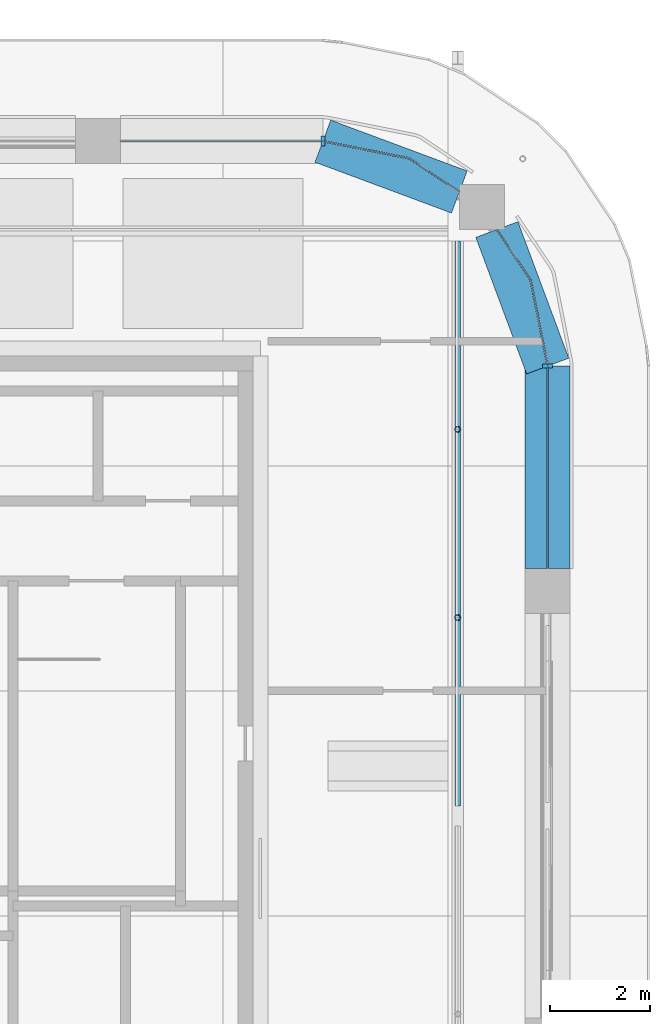
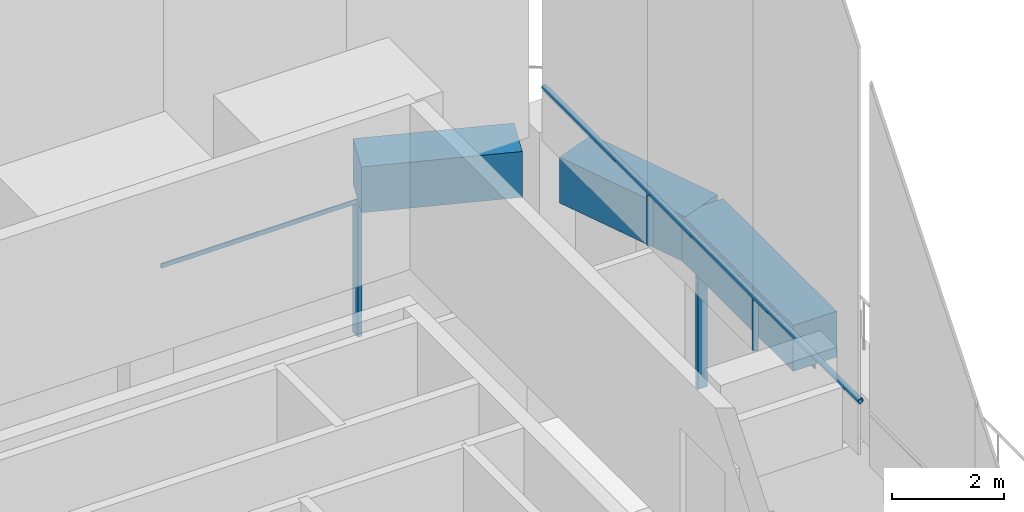
# One storey, part 19 of 31: 7 members, 3 beams, 2 elements without a shape of their own.
"""IFC4 building model written with IfcOpenShell, lengths in metres."""

from ifc_helpers import new_model, si_unit, direction, frame, origin, origin_2d, place, context, subcontext, project, spatial, polyline, rectangle, hollow_circle, outline, extrude, material, material_profile, profile_set, type_object, element, aggregate, save


model = new_model("IFC4")

# Units and contexts
model_context = context("Model", 3, precision=1e-05, world=origin(), true_north=direction((0.0, 1.0)))
body_context = subcontext(model_context, "Body", "Model", "MODEL_VIEW")
ifc_project = project(units=[si_unit("LENGTHUNIT", "METRE"), si_unit("AREAUNIT", "SQUARE_METRE"), si_unit("VOLUMEUNIT", "CUBIC_METRE"), si_unit("PLANEANGLEUNIT", "RADIAN"), si_unit("MASSUNIT", "GRAM", prefix="KILO")], contexts=[model_context])

# Site, building, storey
site_placement = place(None, origin())
site = spatial("IfcSite", under=ifc_project, at=site_placement, CompositionType="ELEMENT")
building_placement = place(site_placement, origin())
building = spatial("IfcBuilding", under=site, at=building_placement, Name="Tessera Arch", CompositionType="ELEMENT")
storey_placement = place(building_placement, frame((0.0, 0.0, 320.699951171875)))
storey = spatial("IfcBuildingStorey", under=building, at=storey_placement, Name="L77", CompositionType="ELEMENT", Elevation=320.699951171875)

# Curtain wall, member
ifc_material_1 = material(Name="CW2 curtain wall")
curtain_wall_type = type_object("IfcCurtainWallType", Name="CW2 curtain wall", PredefinedType="NOTDEFINED", material=ifc_material_1)
curtain_wall_1_placement = place(storey_placement, origin())
curtain_wall_1 = element("IfcCurtainWall", 1, at=curtain_wall_1_placement, inside=storey, type_object=curtain_wall_type, Name="CW2 curtain wall E54.27/1 L77", PredefinedType="NOTDEFINED")
ifc_material_2 = material(Name="Anodised aluminium pale metal", Category="aluminium")
ifc_material_profile_1 = material_profile(ifc_material_2, rectangle(XDim=0.199951171875, YDim=0.080078125, at=origin_2d()), Name="AL 80x200")
ifc_profile_set_1 = profile_set([ifc_material_profile_1], Name="Anodised aluminium pale metal")
member_type_1 = type_object("IfcMemberType", Name="CW2 mullion", PredefinedType="MULLION", material=ifc_profile_set_1)
member_1_placement = place(storey_placement, frame((54.0, 49.5, 0.0), z_axis=(0.0, 0.0, 1.0), x_axis=(-1.0, 0.0, 0.0)))
member_1 = element("IfcMember", 2, at=member_1_placement, type_object=member_type_1, Name="CW2 mullion E54.27/1 1", PredefinedType="MULLION", context=body_context, shape_type="SweptSolid", body=[
    extrude(rectangle(XDim=0.199951171875, YDim=0.080078125, at=origin_2d()), origin(), (0.0, 0.0, 1.0), 2.85009765625),
])

curtain_wall_2_placement = place(storey_placement, origin())
curtain_wall_2 = element("IfcCurtainWall", 3, at=curtain_wall_2_placement, inside=storey, type_object=curtain_wall_type, Name="CW2 curtain wall N54.18/0 L77", PredefinedType="NOTDEFINED")
member_2_placement = place(storey_placement, frame((49.5, 54.0, 0.0), z_axis=(0.0, 0.0, 1.0), x_axis=(0.0, -1.0, 0.0)))
member_2 = element("IfcMember", 4, at=member_2_placement, type_object=member_type_1, Name="CW2 mullion N54.18/0 1", PredefinedType="MULLION", context=body_context, shape_type="SweptSolid", body=[
    extrude(rectangle(XDim=0.199951171875, YDim=0.080078125, at=origin_2d()), origin(), (0.0, 0.0, 1.0), 2.85009765625),
])

# Member
ifc_material_3 = material(Name="Anodised aluminium pale metal", Category="aluminium")
ifc_material_profile_2 = material_profile(ifc_material_3, rectangle(XDim=0.199951171875, YDim=0.10009765625, at=origin_2d()), Name="AL 200x100")
ifc_profile_set_2 = profile_set([ifc_material_profile_2], Name="Anodised aluminium pale metal")
member_type_2 = type_object("IfcMemberType", Name="CW2 transom", PredefinedType="USERDEFINED", material=ifc_profile_set_2)
member_3_placement = place(storey_placement, frame((0.0, 0.0, 2.85009765625)))
member_3 = element("IfcMember", 5, at=member_3_placement, type_object=member_type_2, Name="CW2 transom E54.27/1 1", ObjectType="TRANSOM", PredefinedType="USERDEFINED", context=body_context, shape_type="SweptSolid", body=[
    extrude(outline(polyline([(53.989990234375, 49.4990234375), (53.989990234375, 45.449951171875), (54.010009765625, 45.449951171875), (54.010009765625, 49.5009765625), (53.6669921875, 51.22607421875), (52.990966796875, 52.237548828125), (52.974365234375, 52.2265625), (53.648193359375, 51.21826171875), (53.989990234375, 49.4990234375)])), origin(), (0.0, 0.0, 1.0), 0.099853515625),
])

aggregate(curtain_wall_1, [member_1, member_3])

member_4_placement = place(storey_placement, frame((0.0, 0.0, 2.85009765625)))
member_4 = element("IfcMember", 6, at=member_4_placement, type_object=member_type_2, Name="CW2 transom N54.18/0 1", ObjectType="TRANSOM", PredefinedType="USERDEFINED", context=body_context, shape_type="SweptSolid", body=[
    extrude(outline(polyline([(51.21826171875, 53.648193359375), (52.2265625, 52.974365234375), (52.237548828125, 52.990966796875), (51.22607421875, 53.6669921875), (49.5009765625, 54.010009765625), (45.449951171875, 54.010009765625), (45.449951171875, 53.989990234375), (49.4990234375, 53.989990234375), (51.21826171875, 53.648193359375)])), origin(), (0.0, 0.0, 1.0), 0.099853515625),
])

aggregate(curtain_wall_2, [member_2, member_4])

# Members
ifc_material_4 = material(Name="Steel A500 Gr C", Category="steel")
ifc_material_profile_3 = material_profile(ifc_material_4, hollow_circle(Radius=0.056884765625, WallThickness=0.006103515625, at=origin_2d()), Name="Crown parapet post CHS114x6")
ifc_profile_set_3 = profile_set([ifc_material_profile_3], Name="Steel A500 Gr C")
member_type_3 = type_object("IfcMemberType", Name="Crown parapet post CHS114x6", PredefinedType="POST", material=ifc_profile_set_3)
for number, where, z_axis, x_axis, name in (
    (7, (52.199951171875, 44.466796875, 4.5), (0.0, 0.0, 1.0), (1.0, 0.0, 0.0), "CROWN parapet post E10-1"),
    (8, (52.199951171875, 48.2333984375, 4.5), (0.0, 0.0, 1.0), (1.0, 0.0, 0.0), "CROWN parapet post E10-2"),
):
    element("IfcMember", number, at=place(storey_placement, frame(where, z_axis=z_axis, x_axis=x_axis)), inside=storey, type_object=member_type_3, Name=name, PredefinedType="POST", context=body_context, shape_type="SweptSolid", body=[
        extrude(hollow_circle(Radius=0.056884765625, WallThickness=0.006103515625, at=origin_2d()), origin(), (0.0, 0.0, 1.0), 1.10009765625),
    ])
ifc_material_5 = material(Name="Steel A500 Gr C", Category="steel")
ifc_material_profile_4 = material_profile(ifc_material_5, hollow_circle(Radius=0.056884765625, WallThickness=0.006103515625, at=origin_2d()), Name="Crown trellis rail CHS114x6")
ifc_profile_set_4 = profile_set([ifc_material_profile_4], Name="Steel A500 Gr C")
member_type_4 = type_object("IfcMemberType", Name="Crown trellis rail CHS114x6", PredefinedType="STRINGER", material=ifc_profile_set_4)
member_5_placement = place(storey_placement, frame((52.199951171875, 40.699951171875, 5.656982421875), z_axis=(0.0, 1.0, 0.0), x_axis=(-1.0, 0.0, 0.0)))
element("IfcMember", 9, at=member_5_placement, inside=storey, type_object=member_type_4, Name="CROWN trellis rail E10", PredefinedType="STRINGER", context=body_context, shape_type="SweptSolid", body=[
    extrude(hollow_circle(Radius=0.056884765625, WallThickness=0.006103515625, at=origin_2d()), origin(), (0.0, 0.0, 1.0), 11.300048828125),
])

# Beams
ifc_material_6 = material(Name="Concrete C50/60", Category="concrete")
ifc_material_profile_5 = material_profile(ifc_material_6, rectangle(XDim=0.89990234375, YDim=1.0, at=origin_2d()), Name="RC spandrel beam 900 x 1000 Concrete C50/60")
ifc_profile_set_5 = profile_set([ifc_material_profile_5], Name="Concrete C50/60")
beam_type = type_object("IfcBeamType", Name="RC spandrel beam 900 x 1000 Concrete C50/60", PredefinedType="BEAM", material=ifc_profile_set_5)
beam_placement = place(storey_placement, frame((54.0, 45.449951171875, 3.449951171875), z_axis=(0.0, 1.0, 0.0), x_axis=(-1.0, 0.0, 0.0)))
element("IfcBeam", 10, at=beam_placement, inside=storey, type_object=beam_type, Name="Spandrel beam L77 E54.27/1.1", PredefinedType="BEAM", context=body_context, shape_type="SweptSolid", body=[
    extrude(rectangle(XDim=0.89990234375, YDim=1.0, at=origin_2d()), origin(), (0.0, 0.0, 1.0), 4.050048828125),
])
for number, where, z_axis, x_axis, name in (
    (11, (54.0, 49.5, 3.449951171875), (-0.348974916509, 0.937132065211, 0.0), (-0.937132065211, -0.348974916509, 0.0), "Spandrel beam L77 E54.27/1.2"),
    (12, (52.23193359375, 52.982666015625, 3.449951171875), (-0.937132065211, 0.348974916509, 0.0), (-0.348974916509, -0.937132065211, 0.0), "Spandrel beam L77 N54.18/0.1"),
):
    element("IfcBeam", number, at=place(storey_placement, frame(where, z_axis=z_axis, x_axis=x_axis)), inside=storey, type_object=beam_type, Name=name, PredefinedType="BEAM", context=body_context, shape_type="SweptSolid", body=[
        extrude(rectangle(XDim=0.89990234375, YDim=1.0, at=origin_2d()), origin(), (0.0, 0.0, 1.0), 2.915283203125),
    ])

save(model, "model.ifc")
